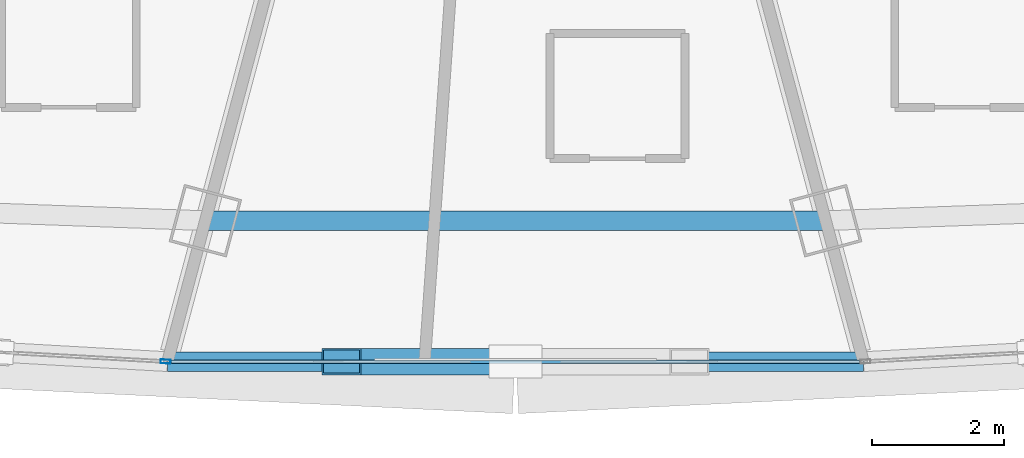
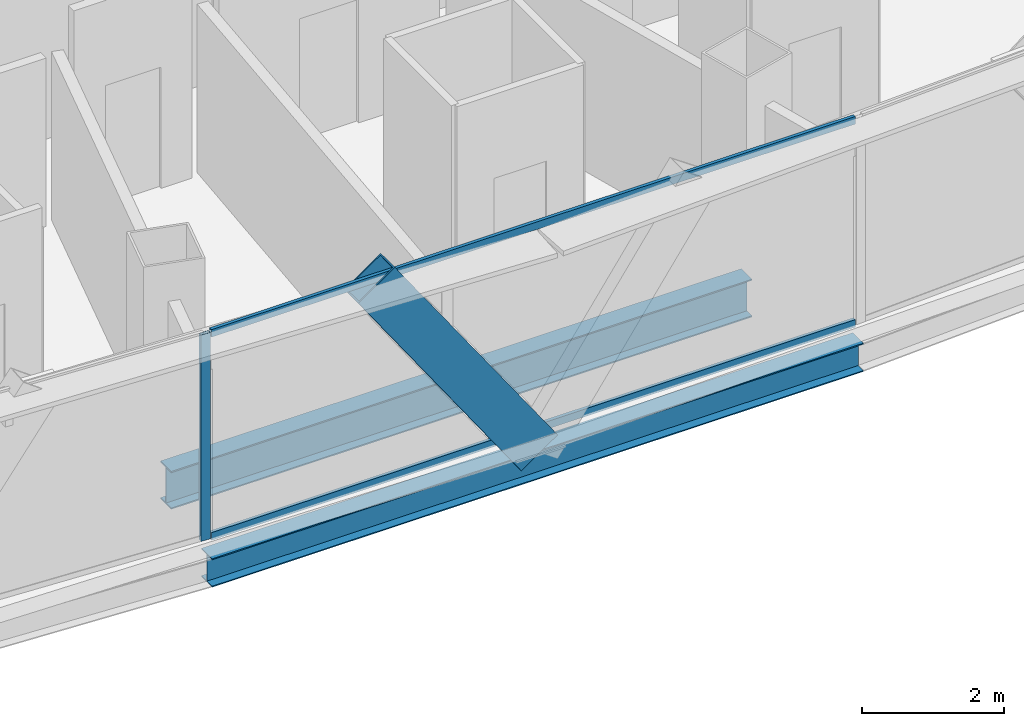
# One storey, part 10 of 40: 4 members, 2 beams, 2 elements without a shape of their own.
"""IFC4 building model written with IfcOpenShell, lengths in metres."""

from ifc_helpers import new_model, si_unit, direction, frame, origin, origin_2d, place, context, subcontext, project, spatial, hollow_rectangle, i_section, extrude, source, transform, mapped, material, layer, layer_set, material_profile, profile_set, type_object, element, aggregate, save


model = new_model("IFC4")

# Units and contexts
model_context = context("Model", 3, precision=1e-05, world=origin(), true_north=direction((0.0, 1.0)))
body_context = subcontext(model_context, "Body", "Model", "MODEL_VIEW")
ifc_project = project(units=[si_unit("LENGTHUNIT", "METRE"), si_unit("AREAUNIT", "SQUARE_METRE"), si_unit("VOLUMEUNIT", "CUBIC_METRE"), si_unit("PLANEANGLEUNIT", "RADIAN"), si_unit("MASSUNIT", "GRAM", prefix="KILO"), si_unit("THERMODYNAMICTEMPERATUREUNIT", "KELVIN"), si_unit("POWERUNIT", "WATT")], contexts=[model_context])

# Site, building, storey
site_placement = place(None, origin())
site = spatial("IfcSite", under=ifc_project, at=site_placement, CompositionType="ELEMENT")
building_placement = place(site_placement, origin())
building = spatial("IfcBuilding", under=site, at=building_placement, Name="Yunzhuo Pagoda Commons", CompositionType="ELEMENT")
storey_placement = place(building_placement, frame((0.0, 0.0, 184.760009765625)))
storey = spatial("IfcBuildingStorey", under=building, at=storey_placement, Name="L46", CompositionType="ELEMENT", Elevation=184.760009765625)

# Beams
ifc_material_1 = material(Name="Structural steel Q355B", Category="steel")
ifc_material_profile_1 = material_profile(ifc_material_1, i_section(OverallWidth=0.300048828125, OverallDepth=0.488037109375, WebThickness=0.010986328125, FlangeThickness=0.01806640625, at=origin_2d()), Name="Structural steel Q355B")
ifc_profile_set_1 = profile_set([ifc_material_profile_1], Name="Structural steel Q355B")
beam_type_1 = type_object("IfcBeamType", Name="B-SP1 Beam HM 488x300x11x18", PredefinedType="BEAM", material=ifc_profile_set_1)
shared_shape_1 = source(origin(), body_context, "Body", "SweptSolid", [
    extrude(i_section(OverallWidth=0.300048828125, OverallDepth=0.488037109375, WebThickness=0.010986328125, FlangeThickness=0.01806640625, at=origin_2d()), origin(), (0.0, 0.0, 1.0), 10.5732421875),
])
beam_1_placement = place(storey_placement, frame((42.71337890625, 13.970458984375, -0.503662109375), z_axis=(1.0, 0.0, 0.0), x_axis=(0.0, 1.0, 0.0)))
element("IfcBeam", 1, at=beam_1_placement, inside=storey, type_object=beam_type_1, Name="L46 facade edge spandrel beam F1.2", PredefinedType="BEAM", context=body_context, shape_type="MappedRepresentation", body=[
    mapped(shared_shape_1, transform((0.0, 0.0, 0.0), scale=1.0)),
])
ifc_material_profile_2 = material_profile(ifc_material_1, i_section(OverallWidth=0.300048828125, OverallDepth=0.64990234375, WebThickness=0.012939453125, FlangeThickness=0.02197265625, at=origin_2d()), Name="Structural steel Q355B")
ifc_profile_set_2 = profile_set([ifc_material_profile_2], Name="Structural steel Q355B")
beam_type_2 = type_object("IfcBeamType", Name="B-RG2 Beam HN 650x300x13x22", PredefinedType="BEAM", material=ifc_profile_set_2)
shared_shape_2 = source(origin(), body_context, "Body", "SweptSolid", [
    extrude(i_section(OverallWidth=0.300048828125, OverallDepth=0.64990234375, WebThickness=0.012939453125, FlangeThickness=0.02197265625, at=origin_2d()), origin(), (0.0, 0.0, 1.0), 9.42529296875),
])
beam_2_placement = place(storey_placement, frame((43.28759765625, 16.1123046875, -0.5849609375), z_axis=(1.0, 0.0, 0.0), x_axis=(0.0, 1.0, 0.0)))
element("IfcBeam", 2, at=beam_2_placement, inside=storey, type_object=beam_type_2, Name="L46 column-ring beam 2", PredefinedType="BEAM", context=body_context, shape_type="MappedRepresentation", body=[
    mapped(shared_shape_2, transform((0.0, 0.0, 0.0), scale=1.0)),
])

# Member
ifc_material_profile_3 = material_profile(ifc_material_1, hollow_rectangle(XDim=0.39990234375, YDim=0.719970703125, WallThickness=0.02392578125, at=origin_2d()), Name="Structural steel Q355B")
ifc_profile_set_3 = profile_set([ifc_material_profile_3], Name="Structural steel Q355B")
member_type_1 = type_object("IfcMemberType", Name="M-DL2 Brace BOX 720x400x24", PredefinedType="BRACE", material=ifc_profile_set_3)
shared_shape_3 = source(origin(), body_context, "Body", "SweptSolid", [
    extrude(hollow_rectangle(XDim=0.39990234375, YDim=0.719970703125, WallThickness=0.02392578125, at=origin_2d()), origin(), (0.0, 0.0, 1.0), 4.62890625),
])
member_1_placement = place(storey_placement, frame((48.0, 13.970458984375, -0.260009765625), z_axis=(-0.57099958185, 0.0, 0.820950350221), x_axis=(0.0, -1.0, 0.0)))
element("IfcMember", 3, at=member_1_placement, inside=storey, type_object=member_type_1, Name="L46 facade diamond brace F1.2L", PredefinedType="BRACE", context=body_context, shape_type="MappedRepresentation", body=[
    mapped(shared_shape_3, transform((0.0, 0.0, 0.0), scale=1.0)),
])

# Curtain wall, member
ifc_material_2 = material(Name="Anodized aluminium 6063-T6", Category="aluminium")
ifc_layer = layer(ifc_material_2, 0.14990234375)
ifc_layer_set = layer_set([ifc_layer], Name="Anodized aluminium 6063-T6")
curtain_wall_type = type_object("IfcCurtainWallType", Name="CW-MID Mid-Zone Ribbon Curtain Wall", PredefinedType="NOTDEFINED", material=ifc_layer_set)
curtain_wall_1_placement = place(storey_placement, origin())
curtain_wall_1 = element("IfcCurtainWall", 4, at=curtain_wall_1_placement, inside=storey, type_object=curtain_wall_type, Name="L46 curtain wall CW-L46-F1B2", PredefinedType="NOTDEFINED")
ifc_material_profile_4 = material_profile(ifc_material_2, hollow_rectangle(XDim=0.06005859375, YDim=0.14990234375, WallThickness=0.00390625, at=origin_2d()), Name="Anodized aluminium 6063-T6")
ifc_profile_set_4 = profile_set([ifc_material_profile_4], Name="Anodized aluminium 6063-T6")
member_type_2 = type_object("IfcMemberType", Name="CW-MID-M Mullion RHS 150x60x4", PredefinedType="MULLION", material=ifc_profile_set_4)
shared_shape_4 = source(origin(), body_context, "Body", "SweptSolid", [
    extrude(hollow_rectangle(XDim=0.06005859375, YDim=0.14990234375, WallThickness=0.00390625, at=origin_2d()), origin(), (0.0, 0.0, 1.0), 3.5400390625),
])
member_2_placement = place(storey_placement, frame((42.68359375, 13.97216796875, 0.0), z_axis=(0.0, 0.0, 1.0), x_axis=(0.056142665584, 0.998422756702, 0.0)))
member_2 = element("IfcMember", 5, at=member_2_placement, type_object=member_type_2, Name="CW mullion 2", PredefinedType="MULLION", context=body_context, shape_type="MappedRepresentation", body=[
    mapped(shared_shape_4, transform((0.0, 0.0, 0.0), scale=1.0)),
])
aggregate(curtain_wall_1, [member_2])

# Curtain wall, members
curtain_wall_2_placement = place(storey_placement, origin())
curtain_wall_2 = element("IfcCurtainWall", 6, at=curtain_wall_2_placement, inside=storey, type_object=curtain_wall_type, Name="L46 curtain wall CW-L46-F1B3", PredefinedType="NOTDEFINED")
ifc_material_profile_5 = material_profile(ifc_material_2, hollow_rectangle(XDim=0.054931640625, YDim=0.1298828125, WallThickness=0.00341796875, at=origin_2d()), Name="Anodized aluminium 6063-T6")
ifc_profile_set_5 = profile_set([ifc_material_profile_5], Name="Anodized aluminium 6063-T6")
member_type_3 = type_object("IfcMemberType", Name="CW-MID-T Transom RHS 130x55x3.5", PredefinedType="USERDEFINED", material=ifc_profile_set_5)
shared_shape_5 = source(origin(), body_context, "Body", "SweptSolid", [
    extrude(hollow_rectangle(XDim=0.054931640625, YDim=0.1298828125, WallThickness=0.00341796875, at=origin_2d()), origin(), (0.0, 0.0, 1.0), 10.453125),
])
member_3_placement = place(storey_placement, frame((42.773681640625, 13.970458984375, 0.027587890625), z_axis=(1.0, 0.0, 0.0), x_axis=(0.0, 1.0, 0.0)))
member_3 = element("IfcMember", 7, at=member_3_placement, type_object=member_type_3, Name="CW transom 1.1", ObjectType="TRANSOM", PredefinedType="USERDEFINED", context=body_context, shape_type="MappedRepresentation", body=[
    mapped(shared_shape_5, transform((0.0, 0.0, 0.0), scale=1.0)),
])
member_4_placement = place(storey_placement, frame((42.773681640625, 13.970458984375, 3.512451171875), z_axis=(1.0, 0.0, 0.0), x_axis=(0.0, 1.0, 0.0)))
member_4 = element("IfcMember", 8, at=member_4_placement, type_object=member_type_3, Name="CW transom 1.2", ObjectType="TRANSOM", PredefinedType="USERDEFINED", context=body_context, shape_type="MappedRepresentation", body=[
    mapped(shared_shape_5, transform((0.0, 0.0, 0.0), scale=1.0)),
])
aggregate(curtain_wall_2, [member_3, member_4])

save(model, "model.ifc")
